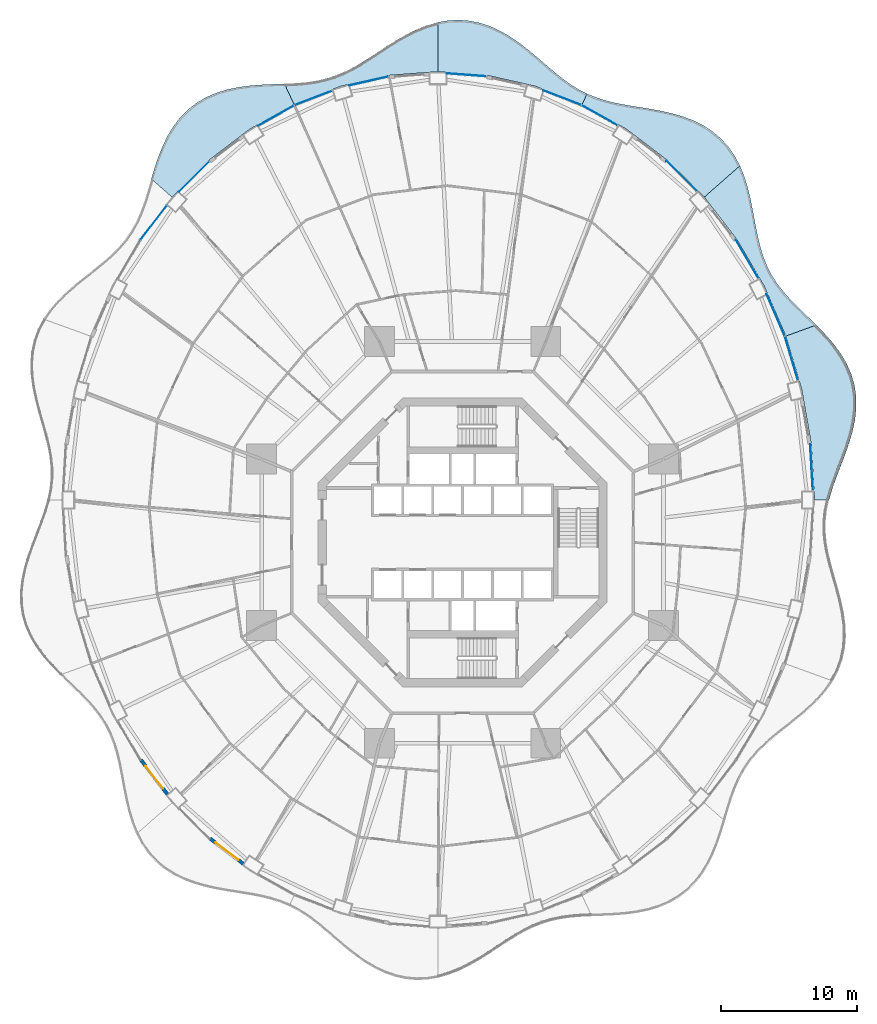
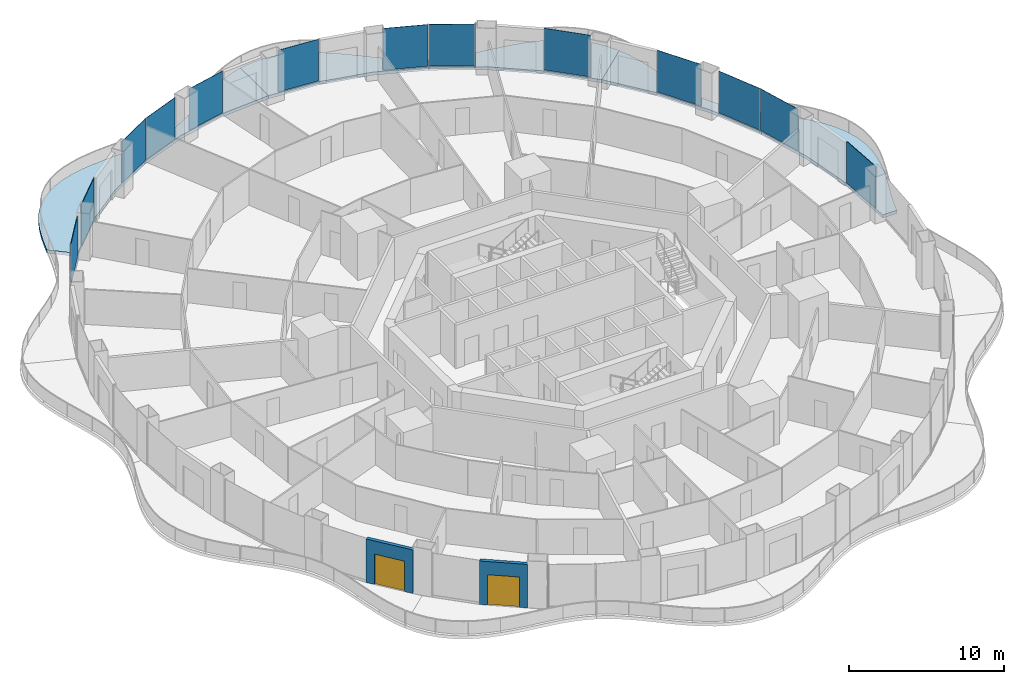
# One storey, part 13 of 22: 13 plates, 6 slabs, 2 doors, 2 walls, 2 openings, 13 elements without a shape of their own.
"""IFC4 building model written with IfcOpenShell, lengths in metres."""

from ifc_helpers import new_model, si_unit, direction, frame, frame_2d, origin, origin_2d, place, context, subcontext, project, spatial, polyline, rectangle, outline, extrude, material, layer, layer_set, type_object, element, fill, aggregate, save


model = new_model("IFC4")

# Units and contexts
model_context = context("Model", 3, precision=1e-05, world=origin(), true_north=direction((0.0, 1.0)))
body_context = subcontext(model_context, "Body", "Model", "MODEL_VIEW")
ifc_project = project(units=[si_unit("LENGTHUNIT", "METRE"), si_unit("AREAUNIT", "SQUARE_METRE"), si_unit("VOLUMEUNIT", "CUBIC_METRE"), si_unit("PLANEANGLEUNIT", "RADIAN"), si_unit("MASSUNIT", "GRAM", prefix="KILO")], contexts=[model_context])

# Site, building, storey
site_placement = place(None, origin())
site = spatial("IfcSite", under=ifc_project, at=site_placement, CompositionType="ELEMENT")
building_placement = place(site_placement, origin())
building = spatial("IfcBuilding", under=site, at=building_placement, Name="Nagisa Residences", CompositionType="ELEMENT")
storey_placement = place(building_placement, frame((0.0, 0.0, 77.0)))
storey = spatial("IfcBuildingStorey", under=building, at=storey_placement, Name="L18", CompositionType="ELEMENT", Elevation=77.0)

# Slabs
ifc_material_1 = material(Name="Concrete C40/50", Category="concrete")
ifc_layer_1 = layer(ifc_material_1, 0.25)
ifc_layer_set_1 = layer_set([ifc_layer_1], Name="BALCONY SLAB 250")
slab_type = type_object("IfcSlabType", Name="BALCONY SLAB 250", PredefinedType="FLOOR", material=ifc_layer_set_1)
slab_1_placement = place(storey_placement, frame((0.0, 0.0, -0.25)))
element("IfcSlab", 1, at=slab_1_placement, inside=storey, type_object=slab_type, Name="slab:L18:bal00", PredefinedType="FLOOR", context=body_context, shape_type="SweptSolid", body=[
    extrude(outline(polyline([(26.959228515625, 3.11767578125), (27.19189453125, 3.914794921875), (27.477294921875, 4.724609375), (27.793701171875, 5.550537109375), (28.11669921875, 6.392822265625), (28.419921875, 7.250244140625), (28.67724609375, 8.118896484375), (28.864501953125, 8.992919921875), (28.961669921875, 9.86572265625), (28.95361328125, 10.728759765625), (28.831298828125, 11.573974609375), (28.592529296875, 12.394287109375), (28.241943359375, 13.18359375), (27.791015625, 13.937744140625), (27.255859375, 14.655517578125), (26.658447265625, 15.338623046875), (26.022216796875, 15.99169921875), (23.786865234375, 15.177978515625), (24.951416015625, 11.2744140625), (25.657958984375, 7.231201171875), (25.89501953125, 3.11767578125), (26.959228515625, 3.11767578125)])), origin(), (0.0, 0.0, 1.0), 0.25),
])
slab_2_placement = place(storey_placement, frame((0.0, 0.0, -0.25)))
element("IfcSlab", 2, at=slab_2_placement, inside=storey, type_object=slab_type, Name="slab:L18:bal01", PredefinedType="FLOOR", context=body_context, shape_type="SweptSolid", body=[
    extrude(outline(polyline([(26.022216796875, 15.99169921875), (25.392578125, 16.602294921875), (24.772705078125, 17.199951171875), (24.182861328125, 17.79443359375), (23.639892578125, 18.396484375), (23.15673828125, 19.016357421875), (22.739990234375, 19.6630859375), (22.391845703125, 20.3447265625), (22.108154296875, 21.065185546875), (21.879638671875, 21.82666015625), (21.69287109375, 22.626708984375), (21.5302734375, 23.459716796875), (21.372802734375, 24.31640625), (21.2001953125, 25.184814453125), (20.99267578125, 26.0498046875), (20.732177734375, 26.8955078125), (20.40478515625, 27.705810546875), (17.783203125, 25.402099609375), (20.171875, 22.302734375), (22.1845703125, 18.875244140625), (23.786865234375, 15.177978515625), (26.022216796875, 15.99169921875)])), origin(), (0.0, 0.0, 1.0), 0.25),
])
slab_3_placement = place(storey_placement, frame((0.0, 0.0, -0.25)))
element("IfcSlab", 3, at=slab_3_placement, inside=storey, type_object=slab_type, Name="slab:L18:bal02", PredefinedType="FLOOR", context=body_context, shape_type="SweptSolid", body=[
    extrude(outline(polyline([(20.40478515625, 27.705810546875), (20.02001953125, 28.430419921875), (19.55908203125, 29.0966796875), (19.02099609375, 29.694580078125), (18.40869140625, 30.218017578125), (17.728271484375, 30.663818359375), (16.989990234375, 31.033203125), (16.205810546875, 31.33154296875), (15.3896484375, 31.56787109375), (14.55615234375, 31.75390625), (13.718994140625, 31.905029296875), (12.890869140625, 32.0380859375), (12.0830078125, 32.170166015625), (11.302734375, 32.318603515625), (10.55517578125, 32.498779296875), (9.841796875, 32.7236328125), (9.160888671875, 33.002685546875), (8.79833984375, 32.233642578125), (12.047607421875, 30.410400390625), (15.0595703125, 28.1201171875), (17.783203125, 25.402099609375), (20.40478515625, 27.705810546875)])), origin(), (0.0, 0.0, 1.0), 0.25),
])
slab_4_placement = place(storey_placement, frame((0.0, 0.0, -0.25)))
element("IfcSlab", 4, at=slab_4_placement, inside=storey, type_object=slab_type, Name="slab:L18:bal03", PredefinedType="FLOOR", context=body_context, shape_type="SweptSolid", body=[
    extrude(outline(polyline([(9.160888671875, 33.002685546875), (8.53125, 33.327880859375), (7.921875, 33.708740234375), (7.324462890625, 34.141357421875), (6.7314453125, 34.6181640625), (6.133544921875, 35.127685546875), (5.5234375, 35.65478515625), (4.89404296875, 36.182861328125), (4.239990234375, 36.693115234375), (3.55859375, 37.16650390625), (2.84912109375, 37.58544921875), (2.112548828125, 37.933349609375), (1.3525390625, 38.196533203125), (0.574462890625, 38.365234375), (-0.215087890625, 38.433349609375), (-1.009033203125, 38.400146484375), (-1.800048828125, 38.2685546875), (-1.800048828125, 34.6328125), (1.81494140625, 34.363037109375), (5.367919921875, 33.558837890625), (8.79833984375, 32.233642578125), (9.160888671875, 33.002685546875)])), origin(), (0.0, 0.0, 1.0), 0.25),
])
slab_5_placement = place(storey_placement, frame((0.0, 0.0, -0.25)))
element("IfcSlab", 5, at=slab_5_placement, inside=storey, type_object=slab_type, Name="slab:L18:bal04", PredefinedType="FLOOR", context=body_context, shape_type="SweptSolid", body=[
    extrude(outline(polyline([(-1.800048828125, 38.2685546875), (-2.5810546875, 38.04638671875), (-3.34619140625, 37.74560546875), (-4.09130859375, 37.38134765625), (-4.814208984375, 36.97119140625), (-5.5146484375, 36.53369140625), (-6.194580078125, 36.088134765625), (-6.85791015625, 35.65283203125), (-7.51025390625, 35.244140625), (-8.158203125, 34.875732421875), (-8.809326171875, 34.557373046875), (-9.470703125, 34.295654296875), (-10.14892578125, 34.09130859375), (-10.849609375, 33.9423828125), (-11.575927734375, 33.841552734375), (-12.3291015625, 33.7783203125), (-13.10791015625, 33.7392578125), (-12.3984375, 32.233642578125), (-8.968017578125, 33.558837890625), (-5.4150390625, 34.363037109375), (-1.800048828125, 34.6328125), (-1.800048828125, 38.2685546875)])), origin(), (0.0, 0.0, 1.0), 0.25),
])
slab_6_placement = place(storey_placement, frame((0.0, 0.0, -0.25)))
element("IfcSlab", 6, at=slab_6_placement, inside=storey, type_object=slab_type, Name="slab:L18:bal05", PredefinedType="FLOOR", context=body_context, shape_type="SweptSolid", body=[
    extrude(outline(polyline([(-13.10791015625, 33.7392578125), (-13.93896484375, 33.7080078125), (-14.785888671875, 33.66748046875), (-15.638916015625, 33.599609375), (-16.487060546875, 33.486572265625), (-17.31689453125, 33.313232421875), (-18.11572265625, 33.0673828125), (-18.870849609375, 32.74072265625), (-19.571533203125, 32.3291015625), (-20.208984375, 31.83251953125), (-20.778076171875, 31.25537109375), (-21.276611328125, 30.60595703125), (-21.70654296875, 29.8955078125), (-22.073486328125, 29.13818359375), (-22.38671875, 28.34912109375), (-22.65869140625, 27.544189453125), (-22.90380859375, 26.73828125), (-21.38330078125, 25.402099609375), (-18.65966796875, 28.1201171875), (-15.6474609375, 30.410400390625), (-12.3984375, 32.233642578125), (-13.10791015625, 33.7392578125)])), origin(), (0.0, 0.0, 1.0), 0.25),
])

# Curtain wall, plate
ifc_material_2 = material(Name="Concrete-coloured aluminium curtain wall system", Category="concrete")
ifc_layer_2 = layer(ifc_material_2, 0.159912109375)
ifc_layer_set_2 = layer_set([ifc_layer_2], Name="CW1 CURTAIN WALL")
curtain_wall_type = type_object("IfcCurtainWallType", Name="CW1 CURTAIN WALL", PredefinedType="NOTDEFINED", material=ifc_layer_set_2)
curtain_wall_1_placement = place(storey_placement, origin())
curtain_wall_1 = element("IfcCurtainWall", 7, at=curtain_wall_1_placement, inside=storey, type_object=curtain_wall_type, Name="cw:CW1:L18:00", PredefinedType="NOTDEFINED")
ifc_material_3 = material(Name="Clear laminated glass", Category="glass")
ifc_layer_3 = layer(ifc_material_3, 0.028076171875)
ifc_layer_set_3 = layer_set([ifc_layer_3], Name="CW1 GLASS PANEL")
plate_type = type_object("IfcPlateType", Name="CW1 GLASS PANEL", PredefinedType="CURTAIN_PANEL", material=ifc_layer_set_3)
plate_1_placement = place(storey_placement, frame((25.67626953125, 5.524169921875, 0.14990234375), z_axis=(0.0, 0.0, 1.0), x_axis=(-0.057503492216, 0.998345305184, 0.0)))
plate_1 = element("IfcPlate", 8, at=plate_1_placement, type_object=plate_type, Name="CW1 panel", PredefinedType="CURTAIN_PANEL", context=body_context, shape_type="SweptSolid", body=[
    extrude(rectangle(XDim=3.410400390625, YDim=0.028076171875, at=origin_2d()), origin(), (0.0, 0.0, 1.0), 3.2900390625),
])
aggregate(curtain_wall_1, [plate_1])

curtain_wall_2_placement = place(storey_placement, origin())
curtain_wall_2 = element("IfcCurtainWall", 9, at=curtain_wall_2_placement, inside=storey, type_object=curtain_wall_type, Name="cw:CW1:L18:02", PredefinedType="NOTDEFINED")
plate_2_placement = place(storey_placement, frame((24.19091796875, 13.54345703125, 0.14990234375), z_axis=(0.0, 0.0, 1.0), x_axis=(-0.285860274038, 0.958271310082, 0.0)))
plate_2 = element("IfcPlate", 10, at=plate_2_placement, type_object=plate_type, Name="CW1 panel", PredefinedType="CURTAIN_PANEL", context=body_context, shape_type="SweptSolid", body=[
    extrude(rectangle(XDim=3.363525390625, YDim=0.028076171875, at=origin_2d()), origin(), (0.0, 0.0, 1.0), 3.2900390625),
])
aggregate(curtain_wall_2, [plate_2])

curtain_wall_3_placement = place(storey_placement, origin())
curtain_wall_3 = element("IfcCurtainWall", 11, at=curtain_wall_3_placement, inside=storey, type_object=curtain_wall_type, Name="cw:CW1:L18:03", PredefinedType="NOTDEFINED")
plate_3_placement = place(storey_placement, frame((23.029541015625, 16.72412109375, 0.14990234375), z_axis=(0.0, 0.0, 1.0), x_axis=(-0.397635934147, 0.917543276295, 0.0)))
plate_3 = element("IfcPlate", 12, at=plate_3_placement, type_object=plate_type, Name="CW1 panel", PredefinedType="CURTAIN_PANEL", context=body_context, shape_type="SweptSolid", body=[
    extrude(rectangle(XDim=3.319580078125, YDim=0.028076171875, at=origin_2d()), origin(), (0.0, 0.0, 1.0), 3.2900390625),
])
aggregate(curtain_wall_3, [plate_3])

curtain_wall_4_placement = place(storey_placement, origin())
curtain_wall_4 = element("IfcCurtainWall", 13, at=curtain_wall_4_placement, inside=storey, type_object=curtain_wall_type, Name="cw:CW1:L18:04", PredefinedType="NOTDEFINED")
plate_4_placement = place(storey_placement, frame((20.929443359375, 20.854736328125, 0.14990234375), z_axis=(0.0, 0.0, 1.0), x_axis=(-0.506348567002, 0.862328898214, 0.0)))
plate_4 = element("IfcPlate", 14, at=plate_4_placement, type_object=plate_type, Name="CW1 panel", PredefinedType="CURTAIN_PANEL", context=body_context, shape_type="SweptSolid", body=[
    extrude(rectangle(XDim=3.264892578125, YDim=0.028076171875, at=origin_2d()), origin(), (0.0, 0.0, 1.0), 3.2900390625),
])
aggregate(curtain_wall_4, [plate_4])

curtain_wall_5_placement = place(storey_placement, origin())
curtain_wall_5 = element("IfcCurtainWall", 15, at=curtain_wall_5_placement, inside=storey, type_object=curtain_wall_type, Name="cw:CW1:L18:06", PredefinedType="NOTDEFINED")
plate_5_placement = place(storey_placement, frame((16.11376953125, 26.955322265625, 0.14990234375), z_axis=(0.0, 0.0, 1.0), x_axis=(-0.707835924016, 0.706376885714, 0.0)))
plate_5 = element("IfcPlate", 16, at=plate_5_placement, type_object=plate_type, Name="CW1 panel", PredefinedType="CURTAIN_PANEL", context=body_context, shape_type="SweptSolid", body=[
    extrude(rectangle(XDim=3.137939453125, YDim=0.028076171875, at=origin_2d()), origin(), (0.0, 0.0, 1.0), 3.2900390625),
])
aggregate(curtain_wall_5, [plate_5])

curtain_wall_6_placement = place(storey_placement, origin())
curtain_wall_6 = element("IfcCurtainWall", 17, at=curtain_wall_6_placement, inside=storey, type_object=curtain_wall_type, Name="cw:CW1:L18:08", PredefinedType="NOTDEFINED")
plate_6_placement = place(storey_placement, frame((10.07421875, 31.426025390625, 0.14990234375), z_axis=(0.0, 0.0, 1.0), x_axis=(-0.872072377523, 0.489376918501, 0.0)))
plate_6 = element("IfcPlate", 18, at=plate_6_placement, type_object=plate_type, Name="CW1 panel", PredefinedType="CURTAIN_PANEL", context=body_context, shape_type="SweptSolid", body=[
    extrude(rectangle(XDim=3.015625, YDim=0.028076171875, at=origin_2d()), origin(), (0.0, 0.0, 1.0), 3.2900390625),
])
aggregate(curtain_wall_6, [plate_6])

curtain_wall_7_placement = place(storey_placement, origin())
curtain_wall_7 = element("IfcCurtainWall", 19, at=curtain_wall_7_placement, inside=storey, type_object=curtain_wall_type, Name="cw:CW1:L18:09", PredefinedType="NOTDEFINED")
plate_7_placement = place(storey_placement, frame((7.32958984375, 32.71533203125, 0.14990234375), z_axis=(0.0, 0.0, 1.0), x_axis=(-0.932825759707, 0.360327770268, 0.0)))
plate_7 = element("IfcPlate", 20, at=plate_7_placement, type_object=plate_type, Name="CW1 panel", PredefinedType="CURTAIN_PANEL", context=body_context, shape_type="SweptSolid", body=[
    extrude(rectangle(XDim=2.967529296875, YDim=0.028076171875, at=origin_2d()), origin(), (0.0, 0.0, 1.0), 3.2900390625),
])
aggregate(curtain_wall_7, [plate_7])

curtain_wall_8_placement = place(storey_placement, origin())
curtain_wall_8 = element("IfcCurtainWall", 21, at=curtain_wall_8_placement, inside=storey, type_object=curtain_wall_type, Name="cw:CW1:L18:11", PredefinedType="NOTDEFINED")
plate_8_placement = place(storey_placement, frame((0.295654296875, 34.396240234375, 0.14990234375), z_axis=(0.0, 0.0, 1.0), x_axis=(-0.997230168512, 0.074377355493, 0.0)))
plate_8 = element("IfcPlate", 22, at=plate_8_placement, type_object=plate_type, Name="CW1 panel", PredefinedType="CURTAIN_PANEL", context=body_context, shape_type="SweptSolid", body=[
    extrude(rectangle(XDim=2.9150390625, YDim=0.028076171875, at=origin_2d()), origin(), (0.0, 0.0, 1.0), 3.2900390625),
])
aggregate(curtain_wall_8, [plate_8])

curtain_wall_9_placement = place(storey_placement, origin())
curtain_wall_9 = element("IfcCurtainWall", 23, at=curtain_wall_9_placement, inside=storey, type_object=curtain_wall_type, Name="cw:CW1:L18:13", PredefinedType="NOTDEFINED")
plate_9_placement = place(storey_placement, frame((-6.885986328125, 33.947998046875, 0.14990234375), z_axis=(0.0, 0.0, 1.0), x_axis=(-0.975327274089, -0.2207639201, 0.0)))
plate_9 = element("IfcPlate", 24, at=plate_9_placement, type_object=plate_type, Name="CW1 panel", PredefinedType="CURTAIN_PANEL", context=body_context, shape_type="SweptSolid", body=[
    extrude(rectangle(XDim=2.932861328125, YDim=0.028076171875, at=origin_2d()), origin(), (0.0, 0.0, 1.0), 3.2900390625),
])
aggregate(curtain_wall_9, [plate_9])

curtain_wall_10_placement = place(storey_placement, origin())
curtain_wall_10 = element("IfcCurtainWall", 25, at=curtain_wall_10_placement, inside=storey, type_object=curtain_wall_type, Name="cw:CW1:L18:14", PredefinedType="NOTDEFINED")
plate_10_placement = place(storey_placement, frame((-10.985595703125, 32.69384765625, 0.14990234375), z_axis=(0.0, 0.0, 1.0), x_axis=(-0.932825759707, -0.360327770268, 0.0)))
plate_10 = element("IfcPlate", 26, at=plate_10_placement, type_object=plate_type, Name="CW1 panel", PredefinedType="CURTAIN_PANEL", context=body_context, shape_type="SweptSolid", body=[
    extrude(rectangle(XDim=2.967529296875, YDim=0.028076171875, at=origin_2d()), origin(), (0.0, 0.0, 1.0), 3.2900390625),
])
aggregate(curtain_wall_10, [plate_10])

curtain_wall_11_placement = place(storey_placement, origin())
curtain_wall_11 = element("IfcCurtainWall", 27, at=curtain_wall_11_placement, inside=storey, type_object=curtain_wall_type, Name="cw:CW1:L18:15", PredefinedType="NOTDEFINED")
plate_11_placement = place(storey_placement, frame((-13.7265625, 31.396728515625, 0.14990234375), z_axis=(0.0, 0.0, 1.0), x_axis=(-0.872072377523, -0.489376918501, 0.0)))
plate_11 = element("IfcPlate", 28, at=plate_11_placement, type_object=plate_type, Name="CW1 panel", PredefinedType="CURTAIN_PANEL", context=body_context, shape_type="SweptSolid", body=[
    extrude(rectangle(XDim=3.015625, YDim=0.028076171875, at=origin_2d()), origin(), (0.0, 0.0, 1.0), 3.2900390625),
])
aggregate(curtain_wall_11, [plate_11])

curtain_wall_12_placement = place(storey_placement, origin())
curtain_wall_12 = element("IfcCurtainWall", 29, at=curtain_wall_12_placement, inside=storey, type_object=curtain_wall_type, Name="cw:CW1:L18:17", PredefinedType="NOTDEFINED")
plate_12_placement = place(storey_placement, frame((-19.756103515625, 26.912841796875, 0.14990234375), z_axis=(0.0, 0.0, 1.0), x_axis=(-0.707835924016, -0.706376885714, 0.0)))
plate_12 = element("IfcPlate", 30, at=plate_12_placement, type_object=plate_type, Name="CW1 panel", PredefinedType="CURTAIN_PANEL", context=body_context, shape_type="SweptSolid", body=[
    extrude(rectangle(XDim=3.137939453125, YDim=0.028076171875, at=origin_2d()), origin(), (0.0, 0.0, 1.0), 3.2900390625),
])
aggregate(curtain_wall_12, [plate_12])

curtain_wall_13_placement = place(storey_placement, origin())
curtain_wall_13 = element("IfcCurtainWall", 31, at=curtain_wall_13_placement, inside=storey, type_object=curtain_wall_type, Name="cw:CW1:L18:18", PredefinedType="NOTDEFINED")
plate_13_placement = place(storey_placement, frame((-22.73095703125, 23.5224609375, 0.14990234375), z_axis=(0.0, 0.0, 1.0), x_axis=(-0.610429828235, -0.792070340816, 0.0)))
plate_13 = element("IfcPlate", 32, at=plate_13_placement, type_object=plate_type, Name="CW1 panel", PredefinedType="CURTAIN_PANEL", context=body_context, shape_type="SweptSolid", body=[
    extrude(rectangle(XDim=3.202880859375, YDim=0.028076171875, at=origin_2d()), origin(), (0.0, 0.0, 1.0), 3.2900390625),
])
aggregate(curtain_wall_13, [plate_13])

# Wall, opening, door
ifc_material_4 = material(Name="Precast concrete C40/50", Category="concrete")
ifc_layer_4 = layer(ifc_material_4, 0.25)
ifc_layer_set_4 = layer_set([ifc_layer_4], Name="BALCONY DOOR WALL 250")
wall_type = type_object("IfcWallType", Name="BALCONY DOOR WALL 250", PredefinedType="SOLIDWALL", material=ifc_layer_set_4)
wall_1_placement = place(storey_placement, frame((-21.68115234375, -18.57568359375, 0.0), z_axis=(0.0, 0.0, 1.0), x_axis=(-0.61041202934, 0.792084057684, 0.0)))
wall_1 = element("IfcWall", 33, at=wall_1_placement, inside=storey, type_object=wall_type, Name="wall:L18:bay29", PredefinedType="SOLIDWALL", context=body_context, shape_type="SweptSolid", body=[
    extrude(rectangle(XDim=3.262939453125, YDim=0.25, at=frame_2d((1.63134765625, 0.0))), origin(), (0.0, 0.0, 1.0), 3.43994140625),
])
opening_1_placement = place(wall_1_placement, frame((0.58154296875, 0.0, 0.0)))
opening_1 = element("IfcOpeningElement", 34, at=opening_1_placement, cuts=wall_1, Name="Opening BD-L18-10", PredefinedType="OPENING", context=body_context, shape_type="SweptSolid", body=[
    extrude(rectangle(XDim=2.10009765625, YDim=2.39990234375, at=frame_2d((1.050048828125, 1.199951171875))), frame((0.0, 0.135009765625, 0.0), z_axis=(0.0, -1.0, 0.0), x_axis=(1.0, 0.0, 0.0)), (0.0, 0.0, 1.0), 0.27001953125),
])
ifc_material_5 = material(Name="Aluminium and clear glass", Category="aluminium")
door_type = type_object("IfcDoorType", Name="BALCONY SLIDING DOOR 2100x2400", OperationType="SLIDING_TO_LEFT", PredefinedType="DOOR", material=ifc_material_5)
door_1_placement = place(opening_1_placement, origin())
door_1 = element("IfcDoor", 35, at=door_1_placement, inside=storey, type_object=door_type, Name="door:L18:bay29", OperationType="SLIDING_TO_LEFT", OverallHeight=2.39990234375, OverallWidth=2.10009765625, PredefinedType="DOOR", context=body_context, shape_type="SweptSolid", body=[
    extrude(rectangle(XDim=2.10009765625, YDim=2.39990234375, at=frame_2d((1.050048828125, 1.199951171875))), frame((0.0, 0.02490234375, 0.0), z_axis=(0.0, -1.0, 0.0), x_axis=(1.0, 0.0, 0.0)), (0.0, 0.0, 1.0), 0.050048828125),
])
fill(opening_1, door_1)

wall_2_placement = place(storey_placement, frame((-16.08935546875, -23.68212890625, 0.0), z_axis=(0.0, 0.0, 1.0), x_axis=(-0.796037575978, 0.605247203736, 0.0)))
wall_2 = element("IfcWall", 36, at=wall_2_placement, inside=storey, type_object=wall_type, Name="wall:L18:bay31", PredefinedType="SOLIDWALL", context=body_context, shape_type="SweptSolid", body=[
    extrude(rectangle(XDim=3.1337890625, YDim=0.25, at=frame_2d((1.56689453125, 0.0))), origin(), (0.0, 0.0, 1.0), 3.43994140625),
])
opening_2_placement = place(wall_2_placement, frame((0.51708984375, 0.0, 0.0)))
opening_2 = element("IfcOpeningElement", 37, at=opening_2_placement, cuts=wall_2, Name="Opening BD-L18-11", PredefinedType="OPENING", context=body_context, shape_type="SweptSolid", body=[
    extrude(rectangle(XDim=2.10009765625, YDim=2.39990234375, at=frame_2d((1.050048828125, 1.199951171875))), frame((0.0, 0.135009765625, 0.0), z_axis=(0.0, -1.0, 0.0), x_axis=(1.0, 0.0, 0.0)), (0.0, 0.0, 1.0), 0.27001953125),
])
door_2_placement = place(opening_2_placement, origin())
door_2 = element("IfcDoor", 38, at=door_2_placement, inside=storey, type_object=door_type, Name="door:L18:bay31", OperationType="SLIDING_TO_LEFT", OverallHeight=2.39990234375, OverallWidth=2.10009765625, PredefinedType="DOOR", context=body_context, shape_type="SweptSolid", body=[
    extrude(rectangle(XDim=2.10009765625, YDim=2.39990234375, at=frame_2d((1.050048828125, 1.199951171875))), frame((0.0, 0.02490234375, 0.0), z_axis=(0.0, -1.0, 0.0), x_axis=(1.0, 0.0, 0.0)), (0.0, 0.0, 1.0), 0.050048828125),
])
fill(opening_2, door_2)

save(model, "model.ifc")
